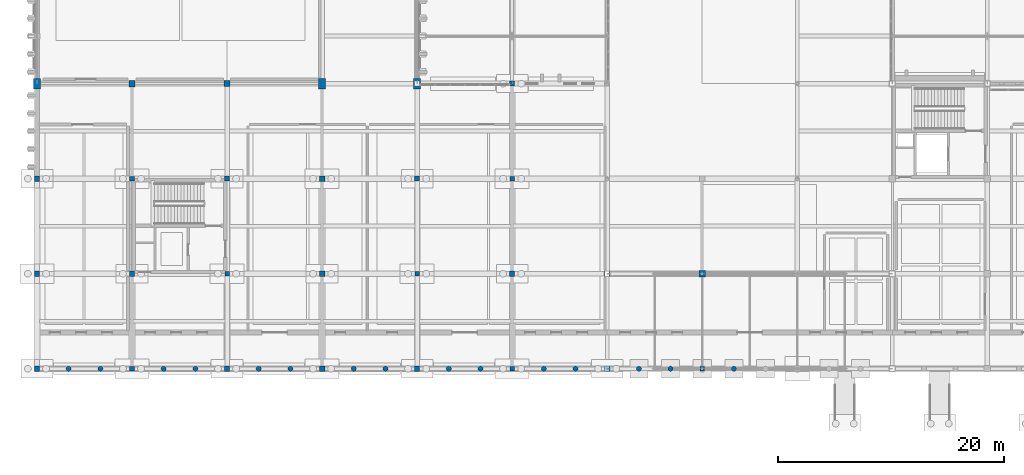
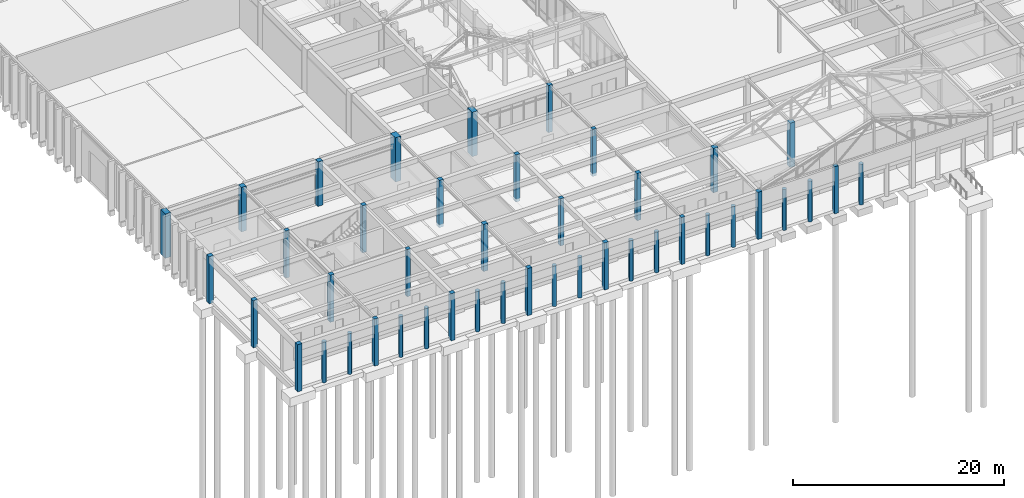
# One storey, part 8 of 143: 43 columns.
"""IFC4 building model written with IfcOpenShell, lengths in metres."""

from ifc_helpers import new_model, si_unit, direction, frame, origin, origin_2d, place, context, subcontext, project, spatial, rectangle, circle, extrude, material, material_profile, profile_set, type_object, element, save


model = new_model("IFC4")

# Units and contexts
model_context = context("Model", 3, precision=1e-05, world=origin(), true_north=direction((0.0, 1.0)))
body_context = subcontext(model_context, "Body", "Model", "MODEL_VIEW")
ifc_project = project(units=[si_unit("LENGTHUNIT", "METRE"), si_unit("AREAUNIT", "SQUARE_METRE"), si_unit("VOLUMEUNIT", "CUBIC_METRE"), si_unit("PLANEANGLEUNIT", "RADIAN"), si_unit("MASSUNIT", "GRAM", prefix="KILO")], contexts=[model_context])

# Site, building, storey
site_placement = place(None, origin())
site = spatial("IfcSite", under=ifc_project, at=site_placement, CompositionType="ELEMENT")
building_placement = place(site_placement, origin())
building = spatial("IfcBuilding", under=site, at=building_placement, Name="Kveldsbrygga Polytechnic", CompositionType="ELEMENT")
storey_placement = place(building_placement, origin())
storey = spatial("IfcBuildingStorey", under=building, at=storey_placement, Name="L00", CompositionType="ELEMENT", Elevation=0.0)

# Columns
ifc_material = material(Name="Concrete C45/55", Category="concrete")
ifc_material_profile_1 = material_profile(ifc_material, circle(Radius=0.22509765625, at=origin_2d()), Name="RC D450")
ifc_profile_set_1 = profile_set([ifc_material_profile_1], Name="Concrete C45/55")
column_type_1 = type_object("IfcColumnType", Name="COL-ARC-D450", PredefinedType="COLUMN", material=ifc_profile_set_1)
for number, where, z_axis, x_axis, name in (
    (1, (2.800048828125, 0.0, -0.320068359375), (0.0, 0.0, 1.0), (1.0, 0.0, 0.0), "Cloister Arcade Pier COL-ARC-001"),
    (2, (5.60009765625, 0.0, -0.320068359375), (0.0, 0.0, 1.0), (1.0, 0.0, 0.0), "Cloister Arcade Pier COL-ARC-002"),
    (3, (11.199951171875, 0.0, -0.320068359375), (0.0, 0.0, 1.0), (1.0, 0.0, 0.0), "Cloister Arcade Pier COL-ARC-003"),
    (4, (14.0, 0.0, -0.320068359375), (0.0, 0.0, 1.0), (1.0, 0.0, 0.0), "Cloister Arcade Pier COL-ARC-004"),
    (5, (19.60009765625, 0.0, -0.320068359375), (0.0, 0.0, 1.0), (1.0, 0.0, 0.0), "Cloister Arcade Pier COL-ARC-005"),
    (6, (22.39990234375, 0.0, -0.320068359375), (0.0, 0.0, 1.0), (1.0, 0.0, 0.0), "Cloister Arcade Pier COL-ARC-006"),
    (7, (28.0, 0.0, -0.320068359375), (0.0, 0.0, 1.0), (1.0, 0.0, 0.0), "Cloister Arcade Pier COL-ARC-007"),
    (8, (30.800048828125, 0.0, -0.320068359375), (0.0, 0.0, 1.0), (1.0, 0.0, 0.0), "Cloister Arcade Pier COL-ARC-008"),
    (9, (36.39990234375, 0.0, -0.320068359375), (0.0, 0.0, 1.0), (1.0, 0.0, 0.0), "Cloister Arcade Pier COL-ARC-009"),
    (10, (39.199951171875, 0.0, -0.320068359375), (0.0, 0.0, 1.0), (1.0, 0.0, 0.0), "Cloister Arcade Pier COL-ARC-010"),
    (11, (44.800048828125, 0.0, -0.320068359375), (0.0, 0.0, 1.0), (1.0, 0.0, 0.0), "Cloister Arcade Pier COL-ARC-011"),
    (12, (47.60009765625, 0.0, -0.320068359375), (0.0, 0.0, 1.0), (1.0, 0.0, 0.0), "Cloister Arcade Pier COL-ARC-012"),
    (13, (53.199951171875, 0.0, -0.320068359375), (0.0, 0.0, 1.0), (1.0, 0.0, 0.0), "Cloister Arcade Pier COL-ARC-013"),
    (14, (56.0, 0.0, -0.320068359375), (0.0, 0.0, 1.0), (1.0, 0.0, 0.0), "Cloister Arcade Pier COL-ARC-014"),
    (15, (61.60009765625, 0.0, -0.320068359375), (0.0, 0.0, 1.0), (1.0, 0.0, 0.0), "Cloister Arcade Pier COL-ARC-015"),
):
    element("IfcColumn", number, at=place(storey_placement, frame(where, z_axis=z_axis, x_axis=x_axis)), inside=storey, type_object=column_type_1, Name=name, PredefinedType="COLUMN", context=body_context, shape_type="SweptSolid", body=[
        extrude(circle(Radius=0.22509765625, at=origin_2d()), origin(), (0.0, 0.0, 1.0), 4.719970703125),
    ])
ifc_material_profile_2 = material_profile(ifc_material, rectangle(XDim=0.60009765625, YDim=0.89990234375, at=origin_2d()), Name="RC 600x900")
ifc_profile_set_2 = profile_set([ifc_material_profile_2], Name="Concrete C45/55")
column_type_2 = type_object("IfcColumnType", Name="COL-CRANE-900", PredefinedType="COLUMN", material=ifc_profile_set_2)
for number, where, z_axis, x_axis, name in (
    (16, (0.0, 25.199951171875, 0.0), (0.0, 0.0, 1.0), (1.0, 0.0, 0.0), "Column COL-L00-00-03"),
    (17, (25.199951171875, 25.199951171875, 0.0), (0.0, 0.0, 1.0), (1.0, 0.0, 0.0), "Column COL-L00-03-03"),
    (18, (33.60009765625, 25.199951171875, 0.0), (0.0, 0.0, 1.0), (1.0, 0.0, 0.0), "Column COL-L00-04-03"),
):
    element("IfcColumn", number, at=place(storey_placement, frame(where, z_axis=z_axis, x_axis=x_axis)), inside=storey, type_object=column_type_2, Name=name, PredefinedType="COLUMN", context=body_context, shape_type="SweptSolid", body=[
        extrude(rectangle(XDim=0.60009765625, YDim=0.89990234375, at=origin_2d()), origin(), (0.0, 0.0, 1.0), 5.139892578125),
    ])
ifc_material_profile_3 = material_profile(ifc_material, rectangle(XDim=0.39990234375, YDim=0.39990234375, at=origin_2d()), Name="RC 400x400")
ifc_profile_set_3 = profile_set([ifc_material_profile_3], Name="Concrete C45/55")
column_type_3 = type_object("IfcColumnType", Name="COL-RC-400", PredefinedType="COLUMN", material=ifc_profile_set_3)
for number, where, z_axis, x_axis, name in (
    (19, (16.800048828125, 8.39990234375, -0.320068359375), (0.0, 0.0, 1.0), (1.0, 0.0, 0.0), "Column COL-L00-02-01"),
    (20, (33.60009765625, 8.39990234375, -0.320068359375), (0.0, 0.0, 1.0), (1.0, 0.0, 0.0), "Column COL-L00-04-01"),
):
    element("IfcColumn", number, at=place(storey_placement, frame(where, z_axis=z_axis, x_axis=x_axis)), inside=storey, type_object=column_type_3, Name=name, PredefinedType="COLUMN", context=body_context, shape_type="SweptSolid", body=[
        extrude(rectangle(XDim=0.39990234375, YDim=0.39990234375, at=origin_2d()), origin(), (0.0, 0.0, 1.0), 5.4599609375),
    ])
ifc_material_profile_4 = material_profile(ifc_material, rectangle(XDim=0.419921875, YDim=0.419921875, at=origin_2d()), Name="RC 420x420")
ifc_profile_set_4 = profile_set([ifc_material_profile_4], Name="Concrete C45/55")
column_type_4 = type_object("IfcColumnType", Name="COL-RC-420", PredefinedType="COLUMN", material=ifc_profile_set_4)
for number, where, z_axis, x_axis, name in (
    (21, (8.39990234375, 0.0, -0.320068359375), (0.0, 0.0, 1.0), (1.0, 0.0, 0.0), "Column COL-L00-01-00"),
    (22, (8.39990234375, 16.800048828125, -0.320068359375), (0.0, 0.0, 1.0), (1.0, 0.0, 0.0), "Column COL-L00-01-02"),
    (23, (42.0, 0.0, -0.320068359375), (0.0, 0.0, 1.0), (1.0, 0.0, 0.0), "Column COL-L00-05-00"),
    (24, (42.0, 16.800048828125, -0.320068359375), (0.0, 0.0, 1.0), (1.0, 0.0, 0.0), "Column COL-L00-05-02"),
    (25, (58.800048828125, 0.0, -0.320068359375), (0.0, 0.0, 1.0), (1.0, 0.0, 0.0), "Column COL-L00-07-00"),
):
    element("IfcColumn", number, at=place(storey_placement, frame(where, z_axis=z_axis, x_axis=x_axis)), inside=storey, type_object=column_type_4, Name=name, PredefinedType="COLUMN", context=body_context, shape_type="SweptSolid", body=[
        extrude(rectangle(XDim=0.419921875, YDim=0.419921875, at=origin_2d()), origin(), (0.0, 0.0, 1.0), 5.4599609375),
    ])
ifc_material_profile_5 = material_profile(ifc_material, rectangle(XDim=0.449951171875, YDim=0.449951171875, at=origin_2d()), Name="RC 450x450")
ifc_profile_set_5 = profile_set([ifc_material_profile_5], Name="Concrete C45/55")
column_type_5 = type_object("IfcColumnType", Name="COL-RC-450", PredefinedType="COLUMN", material=ifc_profile_set_5)
for number, where, z_axis, x_axis, name in (
    (26, (8.39990234375, 8.39990234375, -0.320068359375), (0.0, 0.0, 1.0), (1.0, 0.0, 0.0), "Column COL-L00-01-01"),
    (27, (16.800048828125, 0.0, -0.320068359375), (0.0, 0.0, 1.0), (1.0, 0.0, 0.0), "Column COL-L00-02-00"),
    (28, (16.800048828125, 16.800048828125, -0.320068359375), (0.0, 0.0, 1.0), (1.0, 0.0, 0.0), "Column COL-L00-02-02"),
    (29, (33.60009765625, 0.0, -0.320068359375), (0.0, 0.0, 1.0), (1.0, 0.0, 0.0), "Column COL-L00-04-00"),
    (30, (33.60009765625, 16.800048828125, -0.320068359375), (0.0, 0.0, 1.0), (1.0, 0.0, 0.0), "Column COL-L00-04-02"),
    (31, (42.0, 8.39990234375, -0.320068359375), (0.0, 0.0, 1.0), (1.0, 0.0, 0.0), "Column COL-L00-05-01"),
    (32, (42.0, 25.199951171875, -0.320068359375), (0.0, 0.0, 1.0), (1.0, 0.0, 0.0), "Column COL-L00-05-03"),
):
    element("IfcColumn", number, at=place(storey_placement, frame(where, z_axis=z_axis, x_axis=x_axis)), inside=storey, type_object=column_type_5, Name=name, PredefinedType="COLUMN", context=body_context, shape_type="SweptSolid", body=[
        extrude(rectangle(XDim=0.449951171875, YDim=0.449951171875, at=origin_2d()), origin(), (0.0, 0.0, 1.0), 5.4599609375),
    ])
ifc_material_profile_6 = material_profile(ifc_material, rectangle(XDim=0.47998046875, YDim=0.47998046875, at=origin_2d()), Name="RC 480x480")
ifc_profile_set_6 = profile_set([ifc_material_profile_6], Name="Concrete C45/55")
column_type_6 = type_object("IfcColumnType", Name="COL-RC-480", PredefinedType="COLUMN", material=ifc_profile_set_6)
for number, where, z_axis, x_axis, name in (
    (33, (0.0, 0.0, -0.320068359375), (0.0, 0.0, 1.0), (1.0, 0.0, 0.0), "Column COL-L00-00-00"),
    (34, (0.0, 8.39990234375, -0.320068359375), (0.0, 0.0, 1.0), (1.0, 0.0, 0.0), "Column COL-L00-00-01"),
    (35, (0.0, 16.800048828125, -0.320068359375), (0.0, 0.0, 1.0), (1.0, 0.0, 0.0), "Column COL-L00-00-02"),
    (36, (25.199951171875, 0.0, -0.320068359375), (0.0, 0.0, 1.0), (1.0, 0.0, 0.0), "Column COL-L00-03-00"),
    (37, (25.199951171875, 8.39990234375, -0.320068359375), (0.0, 0.0, 1.0), (1.0, 0.0, 0.0), "Column COL-L00-03-01"),
    (38, (25.199951171875, 16.800048828125, -0.320068359375), (0.0, 0.0, 1.0), (1.0, 0.0, 0.0), "Column COL-L00-03-02"),
    (39, (50.39990234375, 0.0, -0.320068359375), (0.0, 0.0, 1.0), (1.0, 0.0, 0.0), "Column COL-L00-06-00"),
):
    element("IfcColumn", number, at=place(storey_placement, frame(where, z_axis=z_axis, x_axis=x_axis)), inside=storey, type_object=column_type_6, Name=name, PredefinedType="COLUMN", context=body_context, shape_type="SweptSolid", body=[
        extrude(rectangle(XDim=0.47998046875, YDim=0.47998046875, at=origin_2d()), origin(), (0.0, 0.0, 1.0), 5.4599609375),
    ])
ifc_material_profile_7 = material_profile(ifc_material, rectangle(XDim=0.52001953125, YDim=0.52001953125, at=origin_2d()), Name="RC 520x520")
ifc_profile_set_7 = profile_set([ifc_material_profile_7], Name="Concrete C45/55")
column_type_7 = type_object("IfcColumnType", Name="COL-RC-520", PredefinedType="COLUMN", material=ifc_profile_set_7)
column_1_placement = place(storey_placement, frame((16.800048828125, 25.199951171875, 0.0), z_axis=(0.0, 0.0, 1.0), x_axis=(1.0, 0.0, 0.0)))
element("IfcColumn", 40, at=column_1_placement, inside=storey, type_object=column_type_7, Name="Column COL-L00-02-03", PredefinedType="COLUMN", context=body_context, shape_type="SweptSolid", body=[
    extrude(rectangle(XDim=0.52001953125, YDim=0.52001953125, at=origin_2d()), origin(), (0.0, 0.0, 1.0), 5.159912109375),
])
column_2_placement = place(storey_placement, frame((50.39990234375, 8.39990234375, 0.0), z_axis=(0.0, 0.0, 1.0), x_axis=(1.0, 0.0, 0.0)))
element("IfcColumn", 41, at=column_2_placement, inside=storey, type_object=column_type_7, Name="Column COL-L00-06-01", PredefinedType="COLUMN", context=body_context, shape_type="SweptSolid", body=[
    extrude(rectangle(XDim=0.52001953125, YDim=0.52001953125, at=origin_2d()), origin(), (0.0, 0.0, 1.0), 5.139892578125),
])
ifc_material_profile_8 = material_profile(ifc_material, rectangle(XDim=0.550048828125, YDim=0.550048828125, at=origin_2d()), Name="RC 550x550")
ifc_profile_set_8 = profile_set([ifc_material_profile_8], Name="Concrete C45/55")
column_type_8 = type_object("IfcColumnType", Name="COL-RC-550", PredefinedType="COLUMN", material=ifc_profile_set_8)
column_3_placement = place(storey_placement, frame((8.39990234375, 25.199951171875, 0.0), z_axis=(0.0, 0.0, 1.0), x_axis=(1.0, 0.0, 0.0)))
element("IfcColumn", 42, at=column_3_placement, inside=storey, type_object=column_type_8, Name="Column COL-L00-01-03", PredefinedType="COLUMN", context=body_context, shape_type="SweptSolid", body=[
    extrude(rectangle(XDim=0.550048828125, YDim=0.550048828125, at=origin_2d()), origin(), (0.0, 0.0, 1.0), 5.159912109375),
])
column_4_placement = place(storey_placement, frame((58.800048828125, 8.39990234375, 0.0), z_axis=(0.0, 0.0, 1.0), x_axis=(1.0, 0.0, 0.0)))
element("IfcColumn", 43, at=column_4_placement, inside=storey, type_object=column_type_8, Name="Column COL-L00-07-01", PredefinedType="COLUMN", context=body_context, shape_type="SweptSolid", body=[
    extrude(rectangle(XDim=0.550048828125, YDim=0.550048828125, at=origin_2d()), origin(), (0.0, 0.0, 1.0), 5.139892578125),
])

save(model, "model.ifc")
